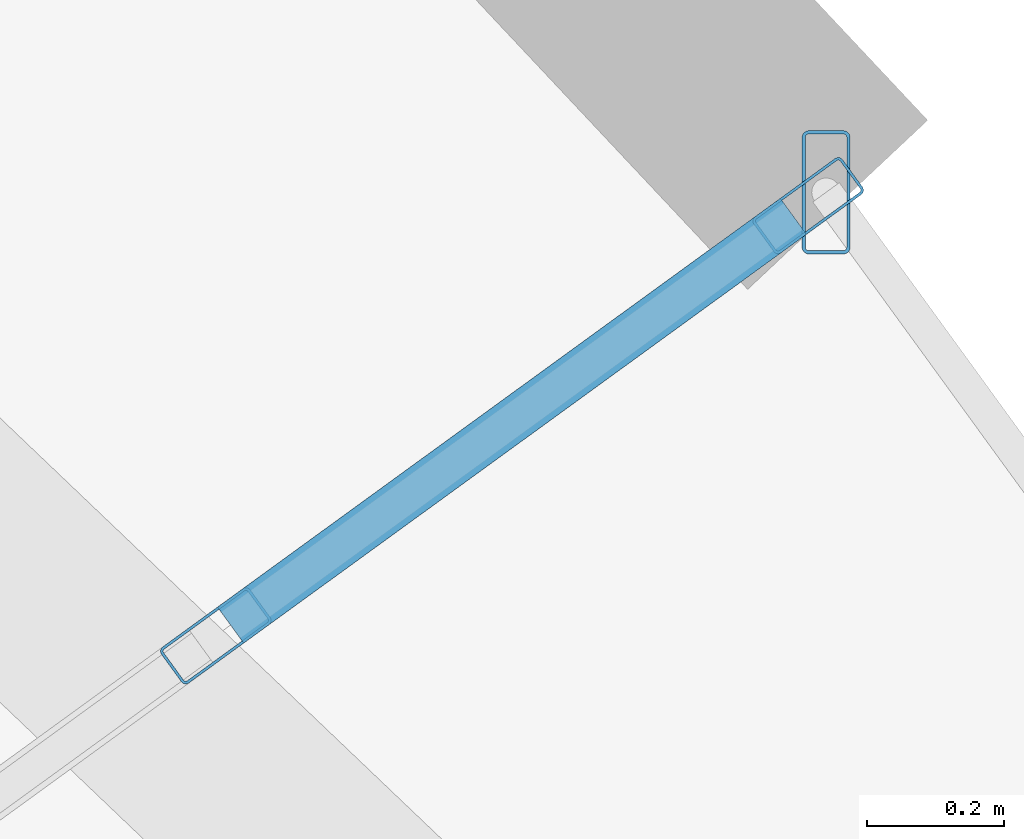
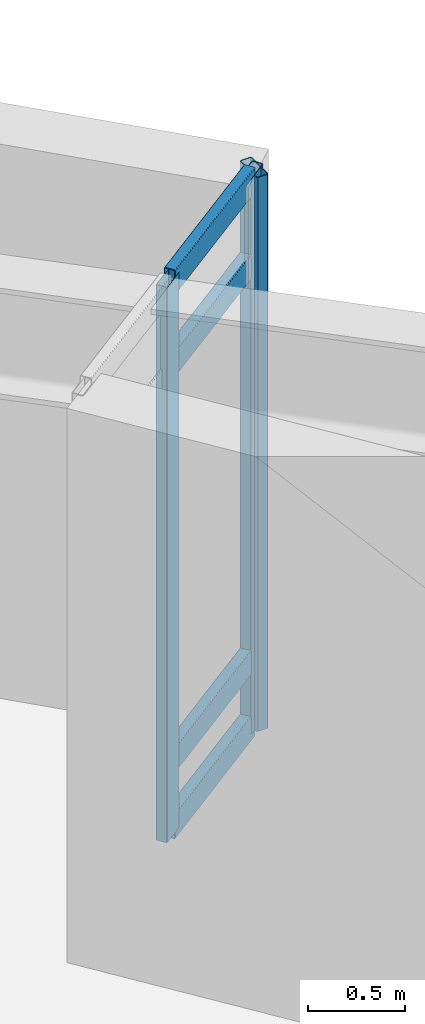
# One storey, part 6 of 15: 7 members, 1 element without a shape of its own.
"""IFC4 building model written with IfcOpenShell, lengths in metres."""

from ifc_helpers import new_model, si_unit, direction, frame, origin, origin_2d, place, context, subcontext, project, spatial, hollow_rectangle, extrude, material, layer, layer_set, material_profile, profile_set, type_object, element, aggregate, save


model = new_model("IFC4")

# Units and contexts
model_context = context("Model", 3, precision=1e-05, world=origin(), true_north=direction((0.0, 1.0)))
body_context = subcontext(model_context, "Body", "Model", "MODEL_VIEW")
ifc_project = project(units=[si_unit("LENGTHUNIT", "METRE"), si_unit("AREAUNIT", "SQUARE_METRE"), si_unit("VOLUMEUNIT", "CUBIC_METRE"), si_unit("PLANEANGLEUNIT", "RADIAN"), si_unit("MASSUNIT", "GRAM", prefix="KILO")], contexts=[model_context])

# Site, building, storey
site_placement = place(None, origin())
site = spatial("IfcSite", under=ifc_project, at=site_placement, CompositionType="ELEMENT")
building_placement = place(site_placement, origin())
building = spatial("IfcBuilding", under=site, at=building_placement, Name="Ndelora Gate Hotel", CompositionType="ELEMENT")
storey_placement = place(building_placement, frame((0.0, 0.0, 56.75)))
storey = spatial("IfcBuildingStorey", under=building, at=storey_placement, Name="L13", CompositionType="ELEMENT", Elevation=56.75)

# Curtain wall, members
ifc_material_1 = material(Name="Bronze Anodised Unitised Aluminium and Low-E Glass", Category="aluminium")
ifc_layer = layer(ifc_material_1, 0.199951171875)
ifc_layer_set = layer_set([ifc_layer], Name="Bronze Anodised Unitised Aluminium and Low-E Glass")
curtain_wall_type = type_object("IfcCurtainWallType", Name="CW-SYS-3", PredefinedType="NOTDEFINED", material=ifc_layer_set)
curtain_wall_placement = place(storey_placement, origin())
curtain_wall = element("IfcCurtainWall", 1, at=curtain_wall_placement, inside=storey, type_object=curtain_wall_type, Name="L13 Sky-Garden Loggia Side Curtain Wall CW3-2", PredefinedType="NOTDEFINED")
ifc_material_2 = material(Name="Bronze Anodised Aluminium 6063-T6", Category="aluminium")
ifc_material_profile_1 = material_profile(ifc_material_2, hollow_rectangle(XDim=0.06494140625, YDim=0.159912109375, WallThickness=0.00390625, InnerFilletRadius=0.00390625, OuterFilletRadius=0.008056640625, at=origin_2d()), Name="ALU 160x65x4")
ifc_profile_set_1 = profile_set([ifc_material_profile_1], Name="Bronze Anodised Aluminium 6063-T6")
member_type_1 = type_object("IfcMemberType", Name="MB-CW-MUL150", PredefinedType="MULLION", material=ifc_profile_set_1)
member_1_placement = place(storey_placement, frame((11.23828125, 14.592529296875, -0.00390625), z_axis=(0.0, 0.0, 1.0), x_axis=(0.587785135859, -0.809017078969, 0.0)))
member_1 = element("IfcMember", 2, at=member_1_placement, type_object=member_type_1, Name="CW3 mullion 1", PredefinedType="MULLION", context=body_context, shape_type="SweptSolid", body=[
    extrude(hollow_rectangle(XDim=0.06494140625, YDim=0.159912109375, WallThickness=0.00390625, InnerFilletRadius=0.00390625, OuterFilletRadius=0.008056640625, at=origin_2d()), origin(), (0.0, 0.0, 1.0), 3.5078125),
])
member_2_placement = place(storey_placement, frame((10.37451171875, 13.965087890625, -0.00390625), z_axis=(0.0, 0.0, 1.0), x_axis=(0.587785135859, -0.809017078969, 0.0)))
member_2 = element("IfcMember", 3, at=member_2_placement, type_object=member_type_1, Name="CW3 mullion 2", PredefinedType="MULLION", context=body_context, shape_type="SweptSolid", body=[
    extrude(hollow_rectangle(XDim=0.06494140625, YDim=0.159912109375, WallThickness=0.00390625, InnerFilletRadius=0.00390625, OuterFilletRadius=0.008056640625, at=origin_2d()), origin(), (0.0, 0.0, 1.0), 3.5078125),
])
ifc_material_profile_2 = material_profile(ifc_material_2, hollow_rectangle(XDim=0.070068359375, YDim=0.179931640625, WallThickness=0.0048828125, InnerFilletRadius=0.0048828125, OuterFilletRadius=0.010009765625, at=origin_2d()), Name="ALU 180x70x5")
ifc_profile_set_2 = profile_set([ifc_material_profile_2], Name="Bronze Anodised Aluminium 6063-T6")
member_type_2 = type_object("IfcMemberType", Name="MB-CW-MUL180", PredefinedType="MULLION", material=ifc_profile_set_2)
member_3_placement = place(storey_placement, frame((11.264404296875, 14.61181640625, 0.0), z_axis=(0.0, 0.0, 1.0), x_axis=(1.0, 0.0, 0.0)))
member_3 = element("IfcMember", 4, at=member_3_placement, type_object=member_type_2, Name="L13 Sky-Garden Loggia Corner Mullion Post 2", PredefinedType="MULLION", context=body_context, shape_type="SweptSolid", body=[
    extrude(hollow_rectangle(XDim=0.070068359375, YDim=0.179931640625, WallThickness=0.0048828125, InnerFilletRadius=0.0048828125, OuterFilletRadius=0.010009765625, at=origin_2d()), origin(), (0.0, 0.0, 1.0), 3.5),
])
ifc_material_profile_3 = material_profile(ifc_material_2, hollow_rectangle(XDim=0.06494140625, YDim=0.159912109375, WallThickness=0.00390625, InnerFilletRadius=0.00390625, OuterFilletRadius=0.008056640625, at=origin_2d()), Name="ALU 160x65x4")
ifc_profile_set_3 = profile_set([ifc_material_profile_3], Name="Bronze Anodised Aluminium 6063-T6")
member_type_3 = type_object("IfcMemberType", Name="MB-CW-TRN150", PredefinedType="USERDEFINED", material=ifc_profile_set_3)
member_4_placement = place(storey_placement, frame((11.216796875, 14.576904296875, 0.032470703125), z_axis=(-0.809089769205, -0.58768507329, 0.0), x_axis=(0.58768507329, -0.809089769205, 0.0)))
member_4 = element("IfcMember", 5, at=member_4_placement, type_object=member_type_3, Name="CW3 transom 1.1", ObjectType="TRANSOM", PredefinedType="USERDEFINED", context=body_context, shape_type="SweptSolid", body=[
    extrude(hollow_rectangle(XDim=0.06494140625, YDim=0.159912109375, WallThickness=0.00390625, InnerFilletRadius=0.00390625, OuterFilletRadius=0.008056640625, at=origin_2d()), origin(), (0.0, 0.0, 1.0), 1.014404296875),
])
member_5_placement = place(storey_placement, frame((11.216796875, 14.576904296875, 0.449951171875), z_axis=(-0.809089769205, -0.58768507329, 0.0), x_axis=(0.58768507329, -0.809089769205, 0.0)))
member_5 = element("IfcMember", 6, at=member_5_placement, type_object=member_type_3, Name="CW3 transom 1.2", ObjectType="TRANSOM", PredefinedType="USERDEFINED", context=body_context, shape_type="SweptSolid", body=[
    extrude(hollow_rectangle(XDim=0.06494140625, YDim=0.159912109375, WallThickness=0.00390625, InnerFilletRadius=0.00390625, OuterFilletRadius=0.008056640625, at=origin_2d()), origin(), (0.0, 0.0, 1.0), 1.014404296875),
])
member_6_placement = place(storey_placement, frame((11.216796875, 14.576904296875, 2.949951171875), z_axis=(-0.809089769205, -0.58768507329, 0.0), x_axis=(0.58768507329, -0.809089769205, 0.0)))
member_6 = element("IfcMember", 7, at=member_6_placement, type_object=member_type_3, Name="CW3 transom 1.3", ObjectType="TRANSOM", PredefinedType="USERDEFINED", context=body_context, shape_type="SweptSolid", body=[
    extrude(hollow_rectangle(XDim=0.06494140625, YDim=0.159912109375, WallThickness=0.00390625, InnerFilletRadius=0.00390625, OuterFilletRadius=0.008056640625, at=origin_2d()), origin(), (0.0, 0.0, 1.0), 1.014404296875),
])
member_7_placement = place(storey_placement, frame((11.216796875, 14.576904296875, 3.467529296875), z_axis=(-0.809089769205, -0.58768507329, 0.0), x_axis=(0.58768507329, -0.809089769205, 0.0)))
member_7 = element("IfcMember", 8, at=member_7_placement, type_object=member_type_3, Name="CW3 transom 1.4", ObjectType="TRANSOM", PredefinedType="USERDEFINED", context=body_context, shape_type="SweptSolid", body=[
    extrude(hollow_rectangle(XDim=0.06494140625, YDim=0.159912109375, WallThickness=0.00390625, InnerFilletRadius=0.00390625, OuterFilletRadius=0.008056640625, at=origin_2d()), origin(), (0.0, 0.0, 1.0), 1.014404296875),
])
aggregate(curtain_wall, [member_1, member_2, member_4, member_5, member_6, member_7, member_3])

save(model, "model.ifc")
